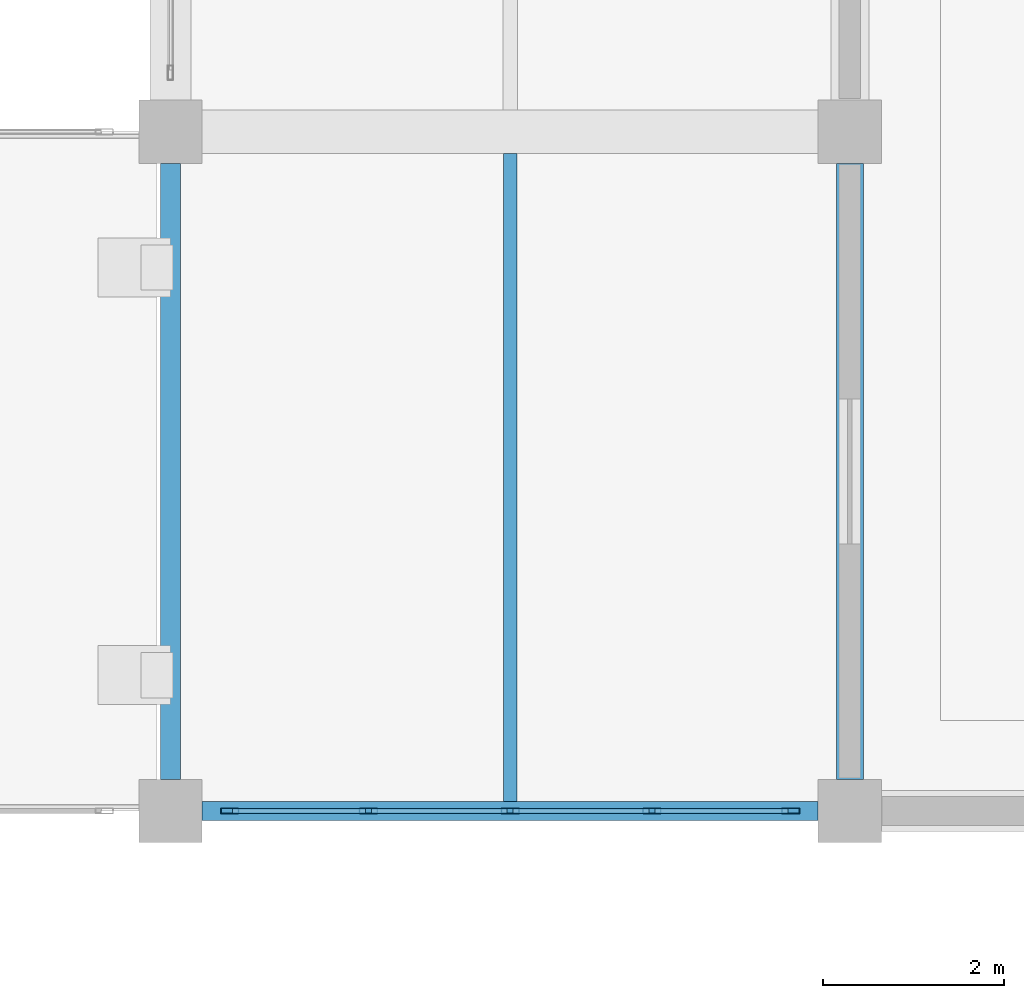
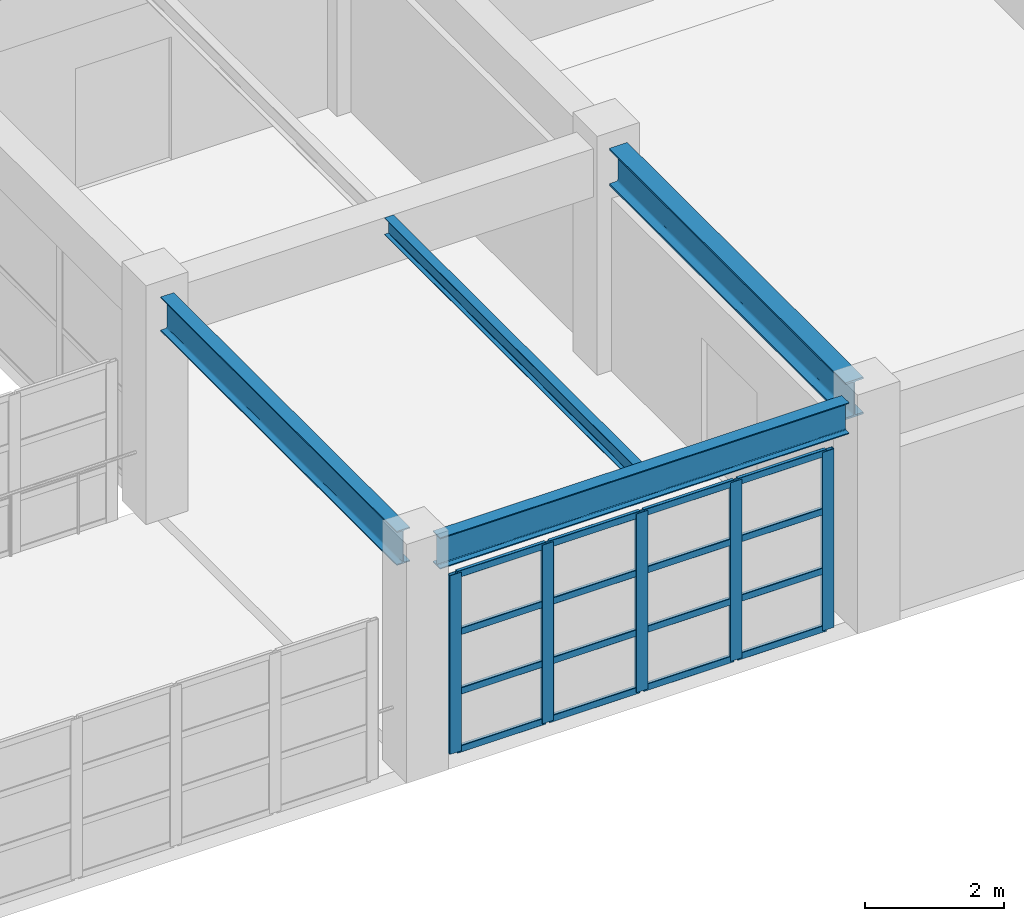
# One storey, part 57 of 132: 21 members, 4 beams, 1 element without a shape of its own.
"""IFC4 building model written with IfcOpenShell, lengths in metres."""

from ifc_helpers import new_model, si_unit, direction, frame, origin, origin_2d, place, context, subcontext, project, spatial, hollow_rectangle, i_section, extrude, material, material_profile, profile_set, type_object, element, aggregate, save


model = new_model("IFC4")

# Units and contexts
model_context = context("Model", 3, precision=1e-05, world=origin(), true_north=direction((0.0, 1.0)))
body_context = subcontext(model_context, "Body", "Model", "MODEL_VIEW")
ifc_project = project(units=[si_unit("LENGTHUNIT", "METRE"), si_unit("AREAUNIT", "SQUARE_METRE"), si_unit("VOLUMEUNIT", "CUBIC_METRE"), si_unit("PLANEANGLEUNIT", "RADIAN"), si_unit("MASSUNIT", "GRAM", prefix="KILO")], contexts=[model_context])

# Site, building, storey
site_placement = place(None, origin())
site = spatial("IfcSite", under=ifc_project, at=site_placement, CompositionType="ELEMENT")
building_placement = place(site_placement, origin())
building = spatial("IfcBuilding", under=site, at=building_placement, Name="Qasida Concert Hall", CompositionType="ELEMENT")
storey_placement = place(building_placement, frame((0.0, 0.0, 4.800048828125)))
storey = spatial("IfcBuildingStorey", under=building, at=storey_placement, Name="L01", CompositionType="ELEMENT", Elevation=4.800048828125)

# Beams
ifc_material_1 = material(Name="Steel S355J2", Category="steel")
ifc_material_profile_1 = material_profile(ifc_material_1, i_section(OverallWidth=0.300048828125, OverallDepth=0.64990234375, WebThickness=0.01611328125, FlangeThickness=0.031005859375, FilletRadius=0.027099609375, at=origin_2d()), Name="HEB 650")
ifc_profile_set_1 = profile_set([ifc_material_profile_1], Name="Steel S355J2")
beam_type_1 = type_object("IfcBeamType", Name="BM-B13", PredefinedType="BEAM", material=ifc_profile_set_1)
beam_1_placement = place(storey_placement, frame((127.5, 75.35009765625, 3.594970703125), z_axis=(0.0, 1.0, 0.0), x_axis=(-1.0, 0.0, 0.0)))
element("IfcBeam", 1, at=beam_1_placement, inside=storey, type_object=beam_type_1, Name="L01 girder 1015", PredefinedType="BEAM", context=body_context, shape_type="SweptSolid", body=[
    extrude(i_section(OverallWidth=0.300048828125, OverallDepth=0.64990234375, WebThickness=0.01611328125, FlangeThickness=0.031005859375, FilletRadius=0.027099609375, at=origin_2d()), origin(), (0.0, 0.0, 1.0), 6.7998046875),
])
ifc_material_profile_2 = material_profile(ifc_material_1, i_section(OverallWidth=0.14990234375, OverallDepth=0.300048828125, WebThickness=0.007080078125, FlangeThickness=0.0107421875, FilletRadius=0.014892578125, at=origin_2d()), Name="IPE 300")
ifc_profile_set_2 = profile_set([ifc_material_profile_2], Name="Steel S355J2")
beam_type_2 = type_object("IfcBeamType", Name="BM-J4", PredefinedType="JOIST", material=ifc_profile_set_2)
beam_2_placement = place(storey_placement, frame((123.75, 75.10498046875, 3.77001953125), z_axis=(0.0, 1.0, 0.0), x_axis=(-1.0, 0.0, 0.0)))
element("IfcBeam", 2, at=beam_2_placement, inside=storey, type_object=beam_type_2, Name="L01 secondary joist 1043", PredefinedType="JOIST", context=body_context, shape_type="SweptSolid", body=[
    extrude(i_section(OverallWidth=0.14990234375, OverallDepth=0.300048828125, WebThickness=0.007080078125, FlangeThickness=0.0107421875, FilletRadius=0.014892578125, at=origin_2d()), origin(), (0.0, 0.0, 1.0), 7.155029296875),
])
ifc_material_profile_3 = material_profile(ifc_material_1, i_section(OverallWidth=0.2099609375, OverallDepth=0.550048828125, WebThickness=0.010986328125, FlangeThickness=0.01708984375, FilletRadius=0.02392578125, at=origin_2d()), Name="IPE 550")
ifc_profile_set_3 = profile_set([ifc_material_profile_3], Name="Steel S355J2")
beam_type_3 = type_object("IfcBeamType", Name="BM-SP2", PredefinedType="SPANDREL", material=ifc_profile_set_3)
beam_3_placement = place(storey_placement, frame((120.35009765625, 75.0, 3.64501953125), z_axis=(1.0, 0.0, 0.0), x_axis=(0.0, 1.0, 0.0)))
element("IfcBeam", 3, at=beam_3_placement, inside=storey, type_object=beam_type_3, Name="Primary girder 0977", PredefinedType="SPANDREL", context=body_context, shape_type="SweptSolid", body=[
    extrude(i_section(OverallWidth=0.2099609375, OverallDepth=0.550048828125, WebThickness=0.010986328125, FlangeThickness=0.01708984375, FilletRadius=0.02392578125, at=origin_2d()), origin(), (0.0, 0.0, 1.0), 6.7998046875),
])
ifc_material_profile_4 = material_profile(ifc_material_1, i_section(OverallWidth=0.219970703125, OverallDepth=0.60009765625, WebThickness=0.011962890625, FlangeThickness=0.01904296875, FilletRadius=0.02392578125, at=origin_2d()), Name="IPE 600")
ifc_profile_set_4 = profile_set([ifc_material_profile_4], Name="Steel S355J2")
beam_type_4 = type_object("IfcBeamType", Name="BM-SP3", PredefinedType="SPANDREL", material=ifc_profile_set_4)
beam_4_placement = place(storey_placement, frame((120.0, 75.35009765625, 3.619873046875), z_axis=(0.0, 1.0, 0.0), x_axis=(-1.0, 0.0, 0.0)))
element("IfcBeam", 4, at=beam_4_placement, inside=storey, type_object=beam_type_4, Name="L01 girder 1010", PredefinedType="SPANDREL", context=body_context, shape_type="SweptSolid", body=[
    extrude(i_section(OverallWidth=0.219970703125, OverallDepth=0.60009765625, WebThickness=0.011962890625, FlangeThickness=0.01904296875, FilletRadius=0.02392578125, at=origin_2d()), origin(), (0.0, 0.0, 1.0), 6.7998046875),
])

# Curtain wall, members
ifc_material_2 = material(Name="Architectural bronze-anodized aluminium and low-E glass", Category="aluminium")
curtain_wall_type = type_object("IfcCurtainWallType", Name="CW-03", PredefinedType="NOTDEFINED", material=ifc_material_2)
curtain_wall_placement = place(storey_placement, origin())
curtain_wall = element("IfcCurtainWall", 5, at=curtain_wall_placement, inside=storey, type_object=curtain_wall_type, Name="L01 curtain wall CW-03 0160", PredefinedType="NOTDEFINED")
ifc_material_3 = material(Name="Architectural bronze-anodized aluminium EN AW-6063", Category="aluminium")
ifc_material_profile_5 = material_profile(ifc_material_3, hollow_rectangle(XDim=0.06494140625, YDim=0.199951171875, WallThickness=0.0048828125, InnerFilletRadius=0.0048828125, OuterFilletRadius=0.010009765625, at=origin_2d()), Name="CWM 200x65x5")
ifc_profile_set_5 = profile_set([ifc_material_profile_5], Name="Architectural bronze-anodized aluminium EN AW-6063")
member_type_1 = type_object("IfcMemberType", Name="MB-CWM-2", PredefinedType="MULLION", material=ifc_profile_set_5)
member_1_placement = place(storey_placement, frame((120.652587890625, 75.0, 0.0), z_axis=(0.0, 0.0, 1.0), x_axis=(0.0, 1.0, 0.0)))
member_1 = element("IfcMember", 6, at=member_1_placement, type_object=member_type_1, Name="CW-03 mullion 1", PredefinedType="MULLION", context=body_context, shape_type="SweptSolid", body=[
    extrude(hollow_rectangle(XDim=0.06494140625, YDim=0.199951171875, WallThickness=0.0048828125, InnerFilletRadius=0.0048828125, OuterFilletRadius=0.010009765625, at=origin_2d()), origin(), (0.0, 0.0, 1.0), 3.139892578125),
])
member_2_placement = place(storey_placement, frame((122.18505859375, 75.0, 0.0), z_axis=(0.0, 0.0, 1.0), x_axis=(0.0, 1.0, 0.0)))
member_2 = element("IfcMember", 7, at=member_2_placement, type_object=member_type_1, Name="CW-03 mullion 2", PredefinedType="MULLION", context=body_context, shape_type="SweptSolid", body=[
    extrude(hollow_rectangle(XDim=0.06494140625, YDim=0.199951171875, WallThickness=0.0048828125, InnerFilletRadius=0.0048828125, OuterFilletRadius=0.010009765625, at=origin_2d()), origin(), (0.0, 0.0, 1.0), 3.139892578125),
])
member_3_placement = place(storey_placement, frame((123.75, 75.0, 0.0), z_axis=(0.0, 0.0, 1.0), x_axis=(0.0, 1.0, 0.0)))
member_3 = element("IfcMember", 8, at=member_3_placement, type_object=member_type_1, Name="CW-03 mullion 3", PredefinedType="MULLION", context=body_context, shape_type="SweptSolid", body=[
    extrude(hollow_rectangle(XDim=0.06494140625, YDim=0.199951171875, WallThickness=0.0048828125, InnerFilletRadius=0.0048828125, OuterFilletRadius=0.010009765625, at=origin_2d()), origin(), (0.0, 0.0, 1.0), 3.139892578125),
])
member_4_placement = place(storey_placement, frame((125.31494140625, 75.0, 0.0), z_axis=(0.0, 0.0, 1.0), x_axis=(0.0, 1.0, 0.0)))
member_4 = element("IfcMember", 9, at=member_4_placement, type_object=member_type_1, Name="CW-03 mullion 4", PredefinedType="MULLION", context=body_context, shape_type="SweptSolid", body=[
    extrude(hollow_rectangle(XDim=0.06494140625, YDim=0.199951171875, WallThickness=0.0048828125, InnerFilletRadius=0.0048828125, OuterFilletRadius=0.010009765625, at=origin_2d()), origin(), (0.0, 0.0, 1.0), 3.139892578125),
])
member_5_placement = place(storey_placement, frame((126.847412109375, 75.0, 0.0), z_axis=(0.0, 0.0, 1.0), x_axis=(0.0, 1.0, 0.0)))
member_5 = element("IfcMember", 10, at=member_5_placement, type_object=member_type_1, Name="CW-03 mullion 5", PredefinedType="MULLION", context=body_context, shape_type="SweptSolid", body=[
    extrude(hollow_rectangle(XDim=0.06494140625, YDim=0.199951171875, WallThickness=0.0048828125, InnerFilletRadius=0.0048828125, OuterFilletRadius=0.010009765625, at=origin_2d()), origin(), (0.0, 0.0, 1.0), 3.139892578125),
])
ifc_material_profile_6 = material_profile(ifc_material_3, hollow_rectangle(XDim=0.06005859375, YDim=0.1201171875, WallThickness=0.00390625, InnerFilletRadius=0.00390625, OuterFilletRadius=0.008056640625, at=origin_2d()), Name="CWT 120x60x4")
ifc_profile_set_6 = profile_set([ifc_material_profile_6], Name="Architectural bronze-anodized aluminium EN AW-6063")
member_type_2 = type_object("IfcMemberType", Name="MB-CWT-2", PredefinedType="USERDEFINED", material=ifc_profile_set_6)
member_6_placement = place(storey_placement, frame((120.68505859375, 75.0, 0.030029296875), z_axis=(1.0, 0.0, 0.0), x_axis=(0.0, 1.0, 0.0)))
member_6 = element("IfcMember", 11, at=member_6_placement, type_object=member_type_2, Name="CW-03 transom 1.1", ObjectType="TRANSOM", PredefinedType="USERDEFINED", context=body_context, shape_type="SweptSolid", body=[
    extrude(hollow_rectangle(XDim=0.06005859375, YDim=0.1201171875, WallThickness=0.00390625, InnerFilletRadius=0.00390625, OuterFilletRadius=0.008056640625, at=origin_2d()), origin(), (0.0, 0.0, 1.0), 1.467529296875),
])
member_7_placement = place(storey_placement, frame((120.68505859375, 75.0, 1.046630859375), z_axis=(1.0, 0.0, 0.0), x_axis=(0.0, 1.0, 0.0)))
member_7 = element("IfcMember", 12, at=member_7_placement, type_object=member_type_2, Name="CW-03 transom 1.2", ObjectType="TRANSOM", PredefinedType="USERDEFINED", context=body_context, shape_type="SweptSolid", body=[
    extrude(hollow_rectangle(XDim=0.06005859375, YDim=0.1201171875, WallThickness=0.00390625, InnerFilletRadius=0.00390625, OuterFilletRadius=0.008056640625, at=origin_2d()), origin(), (0.0, 0.0, 1.0), 1.467529296875),
])
member_8_placement = place(storey_placement, frame((120.68505859375, 75.0, 2.09326171875), z_axis=(1.0, 0.0, 0.0), x_axis=(0.0, 1.0, 0.0)))
member_8 = element("IfcMember", 13, at=member_8_placement, type_object=member_type_2, Name="CW-03 transom 1.3", ObjectType="TRANSOM", PredefinedType="USERDEFINED", context=body_context, shape_type="SweptSolid", body=[
    extrude(hollow_rectangle(XDim=0.06005859375, YDim=0.1201171875, WallThickness=0.00390625, InnerFilletRadius=0.00390625, OuterFilletRadius=0.008056640625, at=origin_2d()), origin(), (0.0, 0.0, 1.0), 1.467529296875),
])
member_9_placement = place(storey_placement, frame((120.68505859375, 75.0, 3.10986328125), z_axis=(1.0, 0.0, 0.0), x_axis=(0.0, 1.0, 0.0)))
member_9 = element("IfcMember", 14, at=member_9_placement, type_object=member_type_2, Name="CW-03 transom 1.4", ObjectType="TRANSOM", PredefinedType="USERDEFINED", context=body_context, shape_type="SweptSolid", body=[
    extrude(hollow_rectangle(XDim=0.06005859375, YDim=0.1201171875, WallThickness=0.00390625, InnerFilletRadius=0.00390625, OuterFilletRadius=0.008056640625, at=origin_2d()), origin(), (0.0, 0.0, 1.0), 1.467529296875),
])
member_10_placement = place(storey_placement, frame((122.217529296875, 75.0, 0.030029296875), z_axis=(1.0, 0.0, 0.0), x_axis=(0.0, 1.0, 0.0)))
member_10 = element("IfcMember", 15, at=member_10_placement, type_object=member_type_2, Name="CW-03 transom 2.1", ObjectType="TRANSOM", PredefinedType="USERDEFINED", context=body_context, shape_type="SweptSolid", body=[
    extrude(hollow_rectangle(XDim=0.06005859375, YDim=0.1201171875, WallThickness=0.00390625, InnerFilletRadius=0.00390625, OuterFilletRadius=0.008056640625, at=origin_2d()), origin(), (0.0, 0.0, 1.0), 1.5),
])
member_11_placement = place(storey_placement, frame((122.217529296875, 75.0, 1.046630859375), z_axis=(1.0, 0.0, 0.0), x_axis=(0.0, 1.0, 0.0)))
member_11 = element("IfcMember", 16, at=member_11_placement, type_object=member_type_2, Name="CW-03 transom 2.2", ObjectType="TRANSOM", PredefinedType="USERDEFINED", context=body_context, shape_type="SweptSolid", body=[
    extrude(hollow_rectangle(XDim=0.06005859375, YDim=0.1201171875, WallThickness=0.00390625, InnerFilletRadius=0.00390625, OuterFilletRadius=0.008056640625, at=origin_2d()), origin(), (0.0, 0.0, 1.0), 1.5),
])
member_12_placement = place(storey_placement, frame((122.217529296875, 75.0, 2.09326171875), z_axis=(1.0, 0.0, 0.0), x_axis=(0.0, 1.0, 0.0)))
member_12 = element("IfcMember", 17, at=member_12_placement, type_object=member_type_2, Name="CW-03 transom 2.3", ObjectType="TRANSOM", PredefinedType="USERDEFINED", context=body_context, shape_type="SweptSolid", body=[
    extrude(hollow_rectangle(XDim=0.06005859375, YDim=0.1201171875, WallThickness=0.00390625, InnerFilletRadius=0.00390625, OuterFilletRadius=0.008056640625, at=origin_2d()), origin(), (0.0, 0.0, 1.0), 1.5),
])
member_13_placement = place(storey_placement, frame((122.217529296875, 75.0, 3.10986328125), z_axis=(1.0, 0.0, 0.0), x_axis=(0.0, 1.0, 0.0)))
member_13 = element("IfcMember", 18, at=member_13_placement, type_object=member_type_2, Name="CW-03 transom 2.4", ObjectType="TRANSOM", PredefinedType="USERDEFINED", context=body_context, shape_type="SweptSolid", body=[
    extrude(hollow_rectangle(XDim=0.06005859375, YDim=0.1201171875, WallThickness=0.00390625, InnerFilletRadius=0.00390625, OuterFilletRadius=0.008056640625, at=origin_2d()), origin(), (0.0, 0.0, 1.0), 1.5),
])
member_14_placement = place(storey_placement, frame((123.782470703125, 75.0, 0.030029296875), z_axis=(1.0, 0.0, 0.0), x_axis=(0.0, 1.0, 0.0)))
member_14 = element("IfcMember", 19, at=member_14_placement, type_object=member_type_2, Name="CW-03 transom 3.1", ObjectType="TRANSOM", PredefinedType="USERDEFINED", context=body_context, shape_type="SweptSolid", body=[
    extrude(hollow_rectangle(XDim=0.06005859375, YDim=0.1201171875, WallThickness=0.00390625, InnerFilletRadius=0.00390625, OuterFilletRadius=0.008056640625, at=origin_2d()), origin(), (0.0, 0.0, 1.0), 1.5),
])
member_15_placement = place(storey_placement, frame((123.782470703125, 75.0, 1.046630859375), z_axis=(1.0, 0.0, 0.0), x_axis=(0.0, 1.0, 0.0)))
member_15 = element("IfcMember", 20, at=member_15_placement, type_object=member_type_2, Name="CW-03 transom 3.2", ObjectType="TRANSOM", PredefinedType="USERDEFINED", context=body_context, shape_type="SweptSolid", body=[
    extrude(hollow_rectangle(XDim=0.06005859375, YDim=0.1201171875, WallThickness=0.00390625, InnerFilletRadius=0.00390625, OuterFilletRadius=0.008056640625, at=origin_2d()), origin(), (0.0, 0.0, 1.0), 1.5),
])
member_16_placement = place(storey_placement, frame((123.782470703125, 75.0, 2.09326171875), z_axis=(1.0, 0.0, 0.0), x_axis=(0.0, 1.0, 0.0)))
member_16 = element("IfcMember", 21, at=member_16_placement, type_object=member_type_2, Name="CW-03 transom 3.3", ObjectType="TRANSOM", PredefinedType="USERDEFINED", context=body_context, shape_type="SweptSolid", body=[
    extrude(hollow_rectangle(XDim=0.06005859375, YDim=0.1201171875, WallThickness=0.00390625, InnerFilletRadius=0.00390625, OuterFilletRadius=0.008056640625, at=origin_2d()), origin(), (0.0, 0.0, 1.0), 1.5),
])
member_17_placement = place(storey_placement, frame((123.782470703125, 75.0, 3.10986328125), z_axis=(1.0, 0.0, 0.0), x_axis=(0.0, 1.0, 0.0)))
member_17 = element("IfcMember", 22, at=member_17_placement, type_object=member_type_2, Name="CW-03 transom 3.4", ObjectType="TRANSOM", PredefinedType="USERDEFINED", context=body_context, shape_type="SweptSolid", body=[
    extrude(hollow_rectangle(XDim=0.06005859375, YDim=0.1201171875, WallThickness=0.00390625, InnerFilletRadius=0.00390625, OuterFilletRadius=0.008056640625, at=origin_2d()), origin(), (0.0, 0.0, 1.0), 1.5),
])
member_18_placement = place(storey_placement, frame((125.347412109375, 75.0, 0.030029296875), z_axis=(1.0, 0.0, 0.0), x_axis=(0.0, 1.0, 0.0)))
member_18 = element("IfcMember", 23, at=member_18_placement, type_object=member_type_2, Name="CW-03 transom 4.1", ObjectType="TRANSOM", PredefinedType="USERDEFINED", context=body_context, shape_type="SweptSolid", body=[
    extrude(hollow_rectangle(XDim=0.06005859375, YDim=0.1201171875, WallThickness=0.00390625, InnerFilletRadius=0.00390625, OuterFilletRadius=0.008056640625, at=origin_2d()), origin(), (0.0, 0.0, 1.0), 1.467529296875),
])
member_19_placement = place(storey_placement, frame((125.347412109375, 75.0, 1.046630859375), z_axis=(1.0, 0.0, 0.0), x_axis=(0.0, 1.0, 0.0)))
member_19 = element("IfcMember", 24, at=member_19_placement, type_object=member_type_2, Name="CW-03 transom 4.2", ObjectType="TRANSOM", PredefinedType="USERDEFINED", context=body_context, shape_type="SweptSolid", body=[
    extrude(hollow_rectangle(XDim=0.06005859375, YDim=0.1201171875, WallThickness=0.00390625, InnerFilletRadius=0.00390625, OuterFilletRadius=0.008056640625, at=origin_2d()), origin(), (0.0, 0.0, 1.0), 1.467529296875),
])
member_20_placement = place(storey_placement, frame((125.347412109375, 75.0, 2.09326171875), z_axis=(1.0, 0.0, 0.0), x_axis=(0.0, 1.0, 0.0)))
member_20 = element("IfcMember", 25, at=member_20_placement, type_object=member_type_2, Name="CW-03 transom 4.3", ObjectType="TRANSOM", PredefinedType="USERDEFINED", context=body_context, shape_type="SweptSolid", body=[
    extrude(hollow_rectangle(XDim=0.06005859375, YDim=0.1201171875, WallThickness=0.00390625, InnerFilletRadius=0.00390625, OuterFilletRadius=0.008056640625, at=origin_2d()), origin(), (0.0, 0.0, 1.0), 1.467529296875),
])
member_21_placement = place(storey_placement, frame((125.347412109375, 75.0, 3.10986328125), z_axis=(1.0, 0.0, 0.0), x_axis=(0.0, 1.0, 0.0)))
member_21 = element("IfcMember", 26, at=member_21_placement, type_object=member_type_2, Name="CW-03 transom 4.4", ObjectType="TRANSOM", PredefinedType="USERDEFINED", context=body_context, shape_type="SweptSolid", body=[
    extrude(hollow_rectangle(XDim=0.06005859375, YDim=0.1201171875, WallThickness=0.00390625, InnerFilletRadius=0.00390625, OuterFilletRadius=0.008056640625, at=origin_2d()), origin(), (0.0, 0.0, 1.0), 1.467529296875),
])
aggregate(curtain_wall, [member_1, member_2, member_3, member_4, member_5, member_6, member_7, member_8, member_9, member_10, member_11, member_12, member_13, member_14, member_15, member_16, member_17, member_18, member_19, member_20, member_21])

save(model, "model.ifc")
